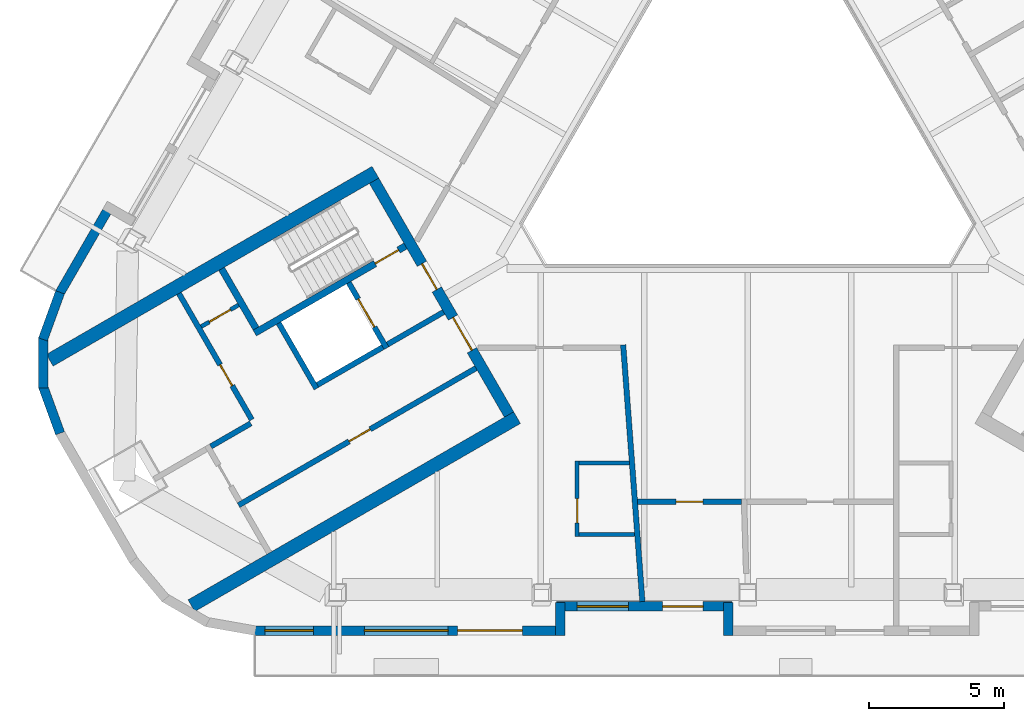
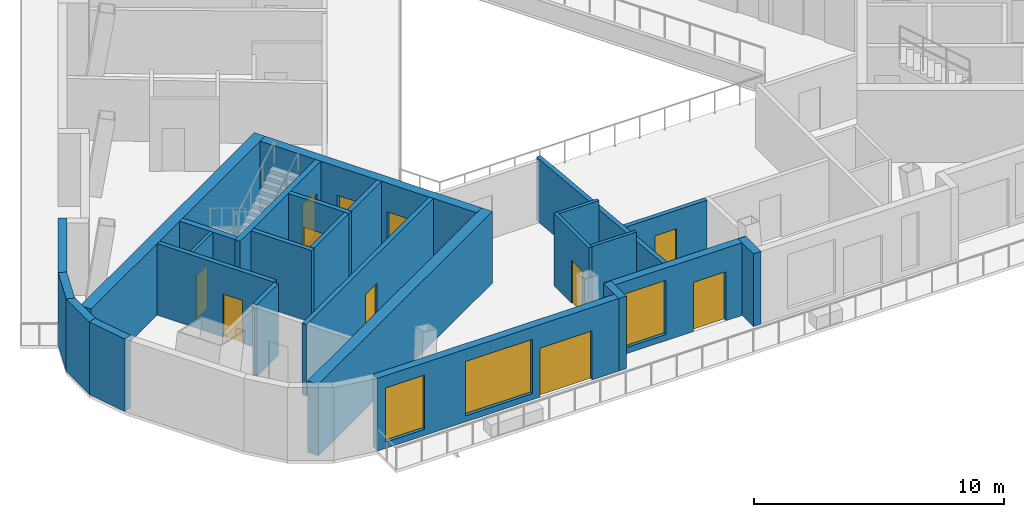
# One storey, part 3 of 14: 26 walls, 11 doors, 3 windows, 14 openings.
"""IFC4 building model written with IfcOpenShell, lengths in metres."""

import ifcopenshell
import ifcopenshell.guid

model = None  # the IFC model being written
_history = None  # IfcOwnerHistory: only IFC2X3 demands one
_inside = {}  # id of a spatial element -> (the spatial element, [elements in it])
_under = {}  # id of a project, library or spatial element -> (it, [spatial elements below it])
_declared = {}  # id of a project -> (the project, [libraries it declares])
_typed = {}  # id of a type object -> (the type object, [elements of that type])
_made_of = {}  # id of a material, layer set ... -> (it, [elements and type objects made of it])


def new_model(schema):
    """Start an empty IFC model of exactly this schema.

    Asked for "IFC4X3", IfcOpenShell would pick the latest addendum, in which some entities
    have other attributes; the version numbers below select the first issue.
    IFC2X3 requires an IfcOwnerHistory on every rooted entity: one is made here for all.
    """
    global model, _history
    if schema == "IFC4X3":
        model = ifcopenshell.file(schema_version=(4, 3, 0, 0))
    else:
        model = ifcopenshell.file(schema=schema)
    _inside.clear()
    _under.clear()
    _declared.clear()
    _typed.clear()
    _made_of.clear()
    _history = None
    if model.schema == "IFC2X3":
        org = make("IfcOrganization", Name="unknown")
        user = make(
            "IfcPersonAndOrganization",
            ThePerson=make("IfcPerson", FamilyName="unknown"),
            TheOrganization=org,
        )
        app = make(
            "IfcApplication",
            ApplicationDeveloper=org,
            Version="unknown",
            ApplicationFullName="unknown",
            ApplicationIdentifier="unknown",
        )
        _history = make(
            "IfcOwnerHistory",
            OwningUser=user,
            OwningApplication=app,
            ChangeAction="ADDED",
            CreationDate=0,
        )
    return model


def make(cls, **values):
    """One entity of the class cls with the attributes given. An attribute that is None is left unset."""
    return model.create_entity(
        cls, **{name: value for name, value in values.items() if value is not None}
    )


def rooted(cls, **values):
    """An entity with a GlobalId (a new one), such as an element, a storey or a relation."""
    return make(cls, GlobalId=ifcopenshell.guid.new(), OwnerHistory=_history, **values)


def si_unit(unit_type, name, prefix=None):
    """IfcSIUnit, for example si_unit("LENGTHUNIT", "METRE", prefix="MILLI")."""
    return make("IfcSIUnit", UnitType=unit_type, Prefix=prefix, Name=name)


def assignment(units):
    """IfcUnitAssignment: the units of a project."""
    return None if units is None else make("IfcUnitAssignment", Units=units)


def point(xyz):
    """IfcCartesianPoint."""
    return None if xyz is None else make("IfcCartesianPoint", Coordinates=xyz)


def direction(xyz):
    """IfcDirection."""
    return None if xyz is None else make("IfcDirection", DirectionRatios=xyz)


def frame(location, z_axis=None, x_axis=None):
    """IfcAxis2Placement3D, a coordinate frame: its origin and axes. An axis left out is left unset."""
    return make(
        "IfcAxis2Placement3D",
        Location=point(location),
        Axis=direction(z_axis),
        RefDirection=direction(x_axis),
    )


def frame_2d(location, x_axis=None):
    """IfcAxis2Placement2D, a coordinate frame in the plane: its origin and x axis."""
    return make(
        "IfcAxis2Placement2D", Location=point(location), RefDirection=direction(x_axis)
    )


def origin():
    """The frame at (0, 0, 0) with its axes left unset."""
    return frame((0.0, 0.0, 0.0))


def place(relative_to, where):
    """IfcLocalPlacement: puts the frame where relative to a parent placement (None: the world)."""
    return make(
        "IfcLocalPlacement", PlacementRelTo=relative_to, RelativePlacement=where
    )


def context(
    kind, dimensions, precision=None, world=None, true_north=None, identifier=None
):
    """IfcGeometricRepresentationContext, for example the 3D "Model" context."""
    return make(
        "IfcGeometricRepresentationContext",
        ContextIdentifier=identifier,
        ContextType=kind,
        CoordinateSpaceDimension=dimensions,
        Precision=precision,
        WorldCoordinateSystem=world,
        TrueNorth=true_north,
    )


def subcontext(parent, identifier, kind, view, scale=None):
    """IfcGeometricRepresentationSubContext, for example "Body" below "Model"."""
    return make(
        "IfcGeometricRepresentationSubContext",
        ContextIdentifier=identifier,
        ContextType=kind,
        ParentContext=parent,
        TargetScale=scale,
        TargetView=view,
    )


def project(units=None, contexts=None):
    """IfcProject with its units and contexts."""
    return rooted(
        "IfcProject",
        Name="project",
        RepresentationContexts=contexts,
        UnitsInContext=assignment(units),
    )


def spatial(cls, under=None, at=None, **own):
    """A site, building, storey or space (cls), placed at a placement, below another one or the project."""
    s = rooted(cls, ObjectPlacement=at, **own)
    if under is not None:
        _under.setdefault(under.id(), (under, []))[1].append(s)
    return s


def profile(cls, at=None, kind="AREA", **sizes):
    """A parametric profile (cls). Its sizes go by their IFC names, for example OverallWidth=200.0."""
    return make(cls, ProfileType=kind, Position=at, **sizes)


def rectangle(**sizes):
    """IfcRectangleProfileDef."""
    return profile("IfcRectangleProfileDef", **sizes)


def extrude(swept, where, along, depth):
    """IfcExtrudedAreaSolid: the profile swept, set in the frame where, extruded along a direction by depth."""
    return make(
        "IfcExtrudedAreaSolid",
        SweptArea=swept,
        Position=where,
        ExtrudedDirection=direction(along),
        Depth=depth,
    )


def shape(context_of_items, identifier, shape_type, items):
    """IfcShapeRepresentation: the items that make up one representation, for example the "Body"."""
    return make(
        "IfcShapeRepresentation",
        ContextOfItems=context_of_items,
        RepresentationIdentifier=identifier,
        RepresentationType=shape_type,
        Items=items,
    )


def material(Name=None, Category=None):
    """IfcMaterial."""
    return make("IfcMaterial", Name=Name, Category=Category)


def layer(
    of_material, thickness, ventilated=None, Name=None, Category=None, Priority=None
):
    """IfcMaterialLayer: one layer of a wall or slab, of a material (None: an air gap)."""
    return make(
        "IfcMaterialLayer",
        Material=of_material,
        LayerThickness=thickness,
        IsVentilated=ventilated,
        Name=Name,
        Category=Category,
        Priority=Priority,
    )


def layer_set(layers, Name=None):
    """IfcMaterialLayerSet."""
    return make("IfcMaterialLayerSet", MaterialLayers=layers, LayerSetName=Name)


def made_of(thing, what):
    """Note that an element or type object is made of a material, layer set ...; save() writes the relation."""
    if what is not None:
        _made_of.setdefault(what.id(), (what, []))[1].append(thing)
    return thing


def type_object(cls, material=None, **own):
    """A type object (cls), such as IfcWallType, which elements share."""
    return made_of(rooted(cls, **own), material)


def element(
    cls,
    number,
    at=None,
    inside=None,
    cuts=None,
    type_object=None,
    material=None,
    context=None,
    identifier="Body",
    shape_type=None,
    held_by="IfcProductDefinitionShape",
    body=None,
    shapes=None,
    **own,
):
    """One element of the class cls, such as IfcWall. Its Tag is "e" and its number.

    at: its placement. inside: the storey or other place that contains it. cuts: it is an
    opening in that element (IfcRelVoidsElement). A single representation is given by context,
    identifier, shape_type and body (its items); several are given by shapes. held_by: the class
    of the entity that holds the representations. save() writes the other relations.
    """
    e = rooted(cls, Tag="e%d" % number, ObjectPlacement=at, **own)
    if body is not None:
        shapes = [shape(context, identifier, shape_type, body)]
    if shapes is not None:
        e.Representation = make(held_by, Representations=shapes)
    if inside is not None:
        _inside.setdefault(inside.id(), (inside, []))[1].append(e)
    if cuts is not None:
        rooted(
            "IfcRelVoidsElement", RelatingBuildingElement=cuts, RelatedOpeningElement=e
        )
    if type_object is not None:
        _typed.setdefault(type_object.id(), (type_object, []))[1].append(e)
    return made_of(e, material)


def fill(opening, filler):
    """IfcRelFillsElement: the door or window that sits in an opening."""
    return rooted(
        "IfcRelFillsElement",
        RelatingOpeningElement=opening,
        RelatedBuildingElement=filler,
    )


def aggregate(whole, parts):
    """IfcRelAggregates: a whole, such as a stair, and the parts it consists of."""
    return rooted("IfcRelAggregates", RelatingObject=whole, RelatedObjects=parts)


def save(model, path):
    """Write the relations noted so far, then the file.

    IfcRelAggregates (storeys below a building ...), IfcRelContainedInSpatialStructure (elements
    in a storey), IfcRelDefinesByType, IfcRelAssociatesMaterial and IfcRelDeclares: one each for
    every whole, place, type object, material and project.
    """
    for whole, parts in _under.values():
        aggregate(whole, parts)
    for where, things in _inside.values():
        rooted(
            "IfcRelContainedInSpatialStructure",
            RelatedElements=things,
            RelatingStructure=where,
        )
    for kind, things in _typed.values():
        rooted("IfcRelDefinesByType", RelatedObjects=things, RelatingType=kind)
    for what, things in _made_of.values():
        rooted("IfcRelAssociatesMaterial", RelatedObjects=things, RelatingMaterial=what)
    for by, libraries in _declared.values():
        rooted("IfcRelDeclares", RelatingContext=by, RelatedDefinitions=libraries)
    model.write(path)


model = new_model("IFC4")

# Units and contexts
model_context = context("Model", 3, precision=1e-05, world=origin(), true_north=direction((0.0, 1.0)))
body_context = subcontext(model_context, "Body", "Model", "MODEL_VIEW")
ifc_project = project(units=[si_unit("LENGTHUNIT", "METRE"), si_unit("AREAUNIT", "SQUARE_METRE"), si_unit("VOLUMEUNIT", "CUBIC_METRE"), si_unit("PLANEANGLEUNIT", "RADIAN"), si_unit("MASSUNIT", "GRAM", prefix="KILO")], contexts=[model_context])

# Site, building, storey
site_placement = place(None, origin())
site = spatial("IfcSite", under=ifc_project, at=site_placement, CompositionType="ELEMENT")
building_placement = place(site_placement, origin())
building = spatial("IfcBuilding", under=site, at=building_placement, Name="Apuvela Tower Hotel", CompositionType="ELEMENT")
storey_placement = place(building_placement, frame((0.0, 0.0, 265.199951171875)))
storey = spatial("IfcBuildingStorey", under=building, at=storey_placement, Name="L65", CompositionType="ELEMENT", Elevation=265.199951171875)

# Wall, openings, doors
ifc_material_1 = material(Name="Concrete C50/60", Category="concrete")
ifc_layer_1 = layer(ifc_material_1, 0.39990234375)
ifc_layer_set_1 = layer_set([ifc_layer_1], Name="COR-WALL-CORE-400")
wall_type_1 = type_object("IfcWallType", Name="COR-WALL-CORE-400", PredefinedType="SHEAR", material=ifc_layer_set_1)
wall_1_placement = place(storey_placement, frame((-13.844970703125, -2.219970703125, 0.0), z_axis=(0.0, 0.0, 1.0), x_axis=(0.500004234368, -0.866022959057, 0.0)))
wall_1 = element("IfcWall", 1, at=wall_1_placement, inside=storey, type_object=wall_type_1, Name="Core wall SW", PredefinedType="SHEAR", context=body_context, shape_type="SweptSolid", body=[
    extrude(rectangle(XDim=10.0, YDim=0.39990234375, at=frame_2d((5.0, 0.0))), origin(), (0.0, 0.0, 1.0), 3.5),
])
opening_1_placement = place(wall_1_placement, frame((3.550048828125, 0.0, 0.0)))
opening_1 = element("IfcOpeningElement", 2, at=opening_1_placement, cuts=wall_1, Name="Opening W-FD", PredefinedType="OPENING", context=body_context, shape_type="SweptSolid", body=[
    extrude(rectangle(XDim=1.10009765625, YDim=2.10009765625, at=frame_2d((0.550048828125, 1.050048828125))), frame((0.0, 0.2099609375, 0.0), z_axis=(0.0, -1.0, 0.0), x_axis=(1.0, 0.0, 0.0)), (0.0, 0.0, 1.0), 0.419921875),
])
opening_2_placement = place(wall_1_placement, frame((5.85009765625, 0.0, 0.0)))
opening_2 = element("IfcOpeningElement", 3, at=opening_2_placement, cuts=wall_1, Name="Opening W-GD", PredefinedType="OPENING", context=body_context, shape_type="SweptSolid", body=[
    extrude(rectangle(XDim=1.39990234375, YDim=2.10009765625, at=frame_2d((0.699951171875, 1.050048828125))), frame((0.0, 0.2099609375, 0.0), z_axis=(0.0, -1.0, 0.0), x_axis=(1.0, 0.0, 0.0)), (0.0, 0.0, 1.0), 0.419921875),
])
ifc_material_2 = material(Name="Steel fire door, powder coated", Category="steel")
door_type_1 = type_object("IfcDoorType", Name="COR-FD-1100", OperationType="NOTDEFINED", PredefinedType="DOOR", material=ifc_material_2)
door_1_placement = place(opening_1_placement, frame((1.10009765625, 0.0, 0.0), z_axis=(0.0, 0.0, 1.0), x_axis=(-1.0, 0.0, 0.0)))
door_1 = element("IfcDoor", 4, at=door_1_placement, inside=storey, type_object=door_type_1, Name="Firefighting lobby door W-FD", OperationType="SINGLE_SWING_LEFT", OverallHeight=2.10009765625, OverallWidth=1.10009765625, PredefinedType="DOOR", context=body_context, shape_type="SweptSolid", body=[
    extrude(rectangle(XDim=1.10009765625, YDim=2.10009765625, at=frame_2d((0.550048828125, 1.050048828125))), frame((0.0, 0.02490234375, 0.0), z_axis=(0.0, -1.0, 0.0), x_axis=(1.0, 0.0, 0.0)), (0.0, 0.0, 1.0), 0.050048828125),
])
fill(opening_1, door_1)
ifc_material_3 = material(Name="Glazed steel fire door", Category="steel")
door_type_2 = type_object("IfcDoorType", Name="COR-GD-1400", OperationType="DOUBLE_DOOR_SINGLE_SWING", PredefinedType="DOOR", material=ifc_material_3)
door_2_placement = place(opening_2_placement, frame((1.39990234375, 0.0, 0.0), z_axis=(0.0, 0.0, 1.0), x_axis=(-1.0, 0.0, 0.0)))
door_2 = element("IfcDoor", 5, at=door_2_placement, inside=storey, type_object=door_type_2, Name="Lift lobby door W-GD", OperationType="DOUBLE_DOOR_SINGLE_SWING", OverallHeight=2.10009765625, OverallWidth=1.39990234375, PredefinedType="DOOR", context=body_context, shape_type="SweptSolid", body=[
    extrude(rectangle(XDim=1.39990234375, YDim=2.10009765625, at=frame_2d((0.699951171875, 1.050048828125))), frame((0.0, 0.02490234375, 0.0), z_axis=(0.0, -1.0, 0.0), x_axis=(1.0, 0.0, 0.0)), (0.0, 0.0, 1.0), 0.050048828125),
])
fill(opening_2, door_2)

# Walls
ifc_layer_2 = layer(ifc_material_1, 0.5)
ifc_layer_set_2 = layer_set([ifc_layer_2], Name="COR-WALL-CORE-500")
wall_type_2 = type_object("IfcWallType", Name="COR-WALL-CORE-500", PredefinedType="SHEAR", material=ifc_layer_set_2)
for number, where, z_axis, x_axis, name in (
    (6, (-13.796630859375, -1.9033203125, 0.0), (0.0, 0.0, 1.0), (-0.86602744543, -0.49999646375, 0.0), "Core wall SW"),
    (7, (-8.546630859375, -10.99658203125, 0.0), (0.0, 0.0, 1.0), (-0.86602744543, -0.49999646375, 0.0), "Core wall SW"),
):
    element("IfcWall", number, at=place(storey_placement, frame(where, z_axis=z_axis, x_axis=x_axis)), inside=storey, type_object=wall_type_2, Name=name, PredefinedType="SHEAR", context=body_context, shape_type="SweptSolid", body=[
        extrude(rectangle(XDim=13.93408203125, YDim=0.5, at=frame_2d((6.967041015625, 0.0))), origin(), (0.0, 0.0, 1.0), 3.5),
    ])

# Wall, opening, door
ifc_material_4 = material(Name="Blockwork 150 mm plastered", Category="masonry")
ifc_layer_3 = layer(ifc_material_4, 0.14990234375)
ifc_layer_set_3 = layer_set([ifc_layer_3], Name="COR-WALL-PART-150")
wall_type_3 = type_object("IfcWallType", Name="COR-WALL-PART-150", PredefinedType="PARTITIONING", material=ifc_layer_set_3)
wall_2_placement = place(storey_placement, frame((-18.866455078125, -6.822265625, 0.0), z_axis=(0.0, 0.0, 1.0), x_axis=(-0.866028054938, -0.499995408039, 0.0)))
wall_2 = element("IfcWall", 8, at=wall_2_placement, inside=storey, type_object=wall_type_3, Name="Partition SW", PredefinedType="PARTITIONING", context=body_context, shape_type="SweptSolid", body=[
    extrude(rectangle(XDim=1.60009765625, YDim=0.14990234375, at=frame_2d((0.800048828125, 0.0))), origin(), (0.0, 0.0, 1.0), 3.5),
])
opening_3_placement = place(wall_2_placement, frame((0.35009765625, 0.0, 0.0)))
opening_3 = element("IfcOpeningElement", 9, at=opening_3_placement, cuts=wall_2, Name="Opening W-RD", PredefinedType="OPENING", context=body_context, shape_type="SweptSolid", body=[
    extrude(rectangle(XDim=0.89990234375, YDim=2.10009765625, at=frame_2d((0.449951171875, 1.050048828125))), frame((0.0, 0.0849609375, 0.0), z_axis=(0.0, -1.0, 0.0), x_axis=(1.0, 0.0, 0.0)), (0.0, 0.0, 1.0), 0.169921875),
])
ifc_material_5 = material(Name="Steel access door, powder coated", Category="steel")
door_type_3 = type_object("IfcDoorType", Name="COR-RD-900", OperationType="NOTDEFINED", PredefinedType="DOOR", material=ifc_material_5)
door_3_placement = place(opening_3_placement, frame((0.89990234375, 0.0, 0.0), z_axis=(0.0, 0.0, 1.0), x_axis=(-1.0, 0.0, 0.0)))
door_3 = element("IfcDoor", 10, at=door_3_placement, inside=storey, type_object=door_type_3, Name="Riser door W-RD", OperationType="SINGLE_SWING_RIGHT", OverallHeight=2.10009765625, OverallWidth=0.89990234375, PredefinedType="DOOR", context=body_context, shape_type="SweptSolid", body=[
    extrude(rectangle(XDim=0.89990234375, YDim=2.10009765625, at=frame_2d((0.449951171875, 1.050048828125))), frame((0.0, 0.02490234375, 0.0), z_axis=(0.0, -1.0, 0.0), x_axis=(1.0, 0.0, 0.0)), (0.0, 0.0, 1.0), 0.050048828125),
])
fill(opening_3, door_3)

ifc_material_6 = material(Name="Blockwork 200 mm plastered", Category="masonry")
ifc_layer_4 = layer(ifc_material_6, 0.199951171875)
ifc_layer_set_4 = layer_set([ifc_layer_4], Name="COR-WALL-PART-200")
wall_type_4 = type_object("IfcWallType", Name="COR-WALL-PART-200", PredefinedType="PARTITIONING", material=ifc_layer_set_4)
wall_3_placement = place(storey_placement, frame((-21.076171875, -6.39501953125, 0.0), z_axis=(0.0, 0.0, 1.0), x_axis=(0.50001468107, -0.866016927499, 0.0)))
wall_3 = element("IfcWall", 11, at=wall_3_placement, inside=storey, type_object=wall_type_4, Name="Partition SW", PredefinedType="PARTITIONING", context=body_context, shape_type="SweptSolid", body=[
    extrude(rectangle(XDim=5.399658203125, YDim=0.199951171875, at=frame_2d((2.69970703125, 0.0))), origin(), (0.0, 0.0, 1.0), 3.5),
])
opening_4_placement = place(wall_3_placement, frame((3.050048828125, 0.0, 0.0)))
opening_4 = element("IfcOpeningElement", 12, at=opening_4_placement, cuts=wall_3, Name="Opening W-RS1", PredefinedType="OPENING", context=body_context, shape_type="SweptSolid", body=[
    extrude(rectangle(XDim=0.89990234375, YDim=2.10009765625, at=frame_2d((0.449951171875, 1.050048828125))), frame((0.0, 0.10986328125, 0.0), z_axis=(0.0, -1.0, 0.0), x_axis=(1.0, 0.0, 0.0)), (0.0, 0.0, 1.0), 0.219970703125),
])
door_type_4 = type_object("IfcDoorType", Name="COR-DR-900", OperationType="NOTDEFINED", PredefinedType="DOOR", material=ifc_material_2)
door_4_placement = place(opening_4_placement, frame((0.89990234375, 0.0, 0.0), z_axis=(0.0, 0.0, 1.0), x_axis=(-1.0, 0.0, 0.0)))
door_4 = element("IfcDoor", 13, at=door_4_placement, inside=storey, type_object=door_type_4, Name="Store door W-RS1", OperationType="SINGLE_SWING_LEFT", OverallHeight=2.10009765625, OverallWidth=0.89990234375, PredefinedType="DOOR", context=body_context, shape_type="SweptSolid", body=[
    extrude(rectangle(XDim=0.89990234375, YDim=2.10009765625, at=frame_2d((0.449951171875, 1.050048828125))), frame((0.0, 0.02490234375, 0.0), z_axis=(0.0, -1.0, 0.0), x_axis=(1.0, 0.0, 0.0)), (0.0, 0.0, 1.0), 0.050048828125),
])
fill(opening_4, door_4)

# Wall
ifc_layer_5 = layer(ifc_material_1, 0.199951171875)
ifc_layer_set_5 = layer_set([ifc_layer_5], Name="COR-WALL-SHAFT-200")
wall_type_5 = type_object("IfcWallType", Name="COR-WALL-SHAFT-200", PredefinedType="SHEAR", material=ifc_layer_set_5)
wall_4_placement = place(storey_placement, frame((-17.38134765625, -7.49462890625, 0.0), z_axis=(0.0, 0.0, 1.0), x_axis=(0.500011755427, -0.866018616679, 0.0)))
element("IfcWall", 14, at=wall_4_placement, inside=storey, type_object=wall_type_5, Name="Shaft wall SW", PredefinedType="SHEAR", context=body_context, shape_type="SweptSolid", body=[
    extrude(rectangle(XDim=2.80029296875, YDim=0.199951171875, at=frame_2d((1.400146484375, 0.0))), origin(), (0.0, 0.0, 1.0), 3.5),
])

# Wall, opening, door
wall_5_placement = place(storey_placement, frame((-14.783203125, -5.99462890625, 0.0), z_axis=(0.0, 0.0, 1.0), x_axis=(0.49994636267, -0.866056369097, 0.0)))
wall_5 = element("IfcWall", 15, at=wall_5_placement, inside=storey, type_object=wall_type_5, Name="Shaft wall SW", PredefinedType="SHEAR", context=body_context, shape_type="SweptSolid", body=[
    extrude(rectangle(XDim=2.800048828125, YDim=0.199951171875, at=frame_2d((1.39990234375, 0.0))), origin(), (0.0, 0.0, 1.0), 3.5),
])
opening_5_placement = place(wall_5_placement, frame((0.699951171875, 0.0, 0.0)))
opening_5 = element("IfcOpeningElement", 16, at=opening_5_placement, cuts=wall_5, Name="Opening W-LD-FS2", PredefinedType="OPENING", context=body_context, shape_type="SweptSolid", body=[
    extrude(rectangle(XDim=1.199951171875, YDim=2.10009765625, at=frame_2d((0.60009765625, 1.050048828125))), frame((0.0, 0.10986328125, 0.0), z_axis=(0.0, -1.0, 0.0), x_axis=(1.0, 0.0, 0.0)), (0.0, 0.0, 1.0), 0.219970703125),
])
ifc_material_7 = material(Name="Stainless steel lift landing door", Category="steel")
door_type_5 = type_object("IfcDoorType", Name="COR-LD-1200", OperationType="DOUBLE_DOOR_SLIDING", PredefinedType="DOOR", material=ifc_material_7)
door_5_placement = place(opening_5_placement, origin())
door_5 = element("IfcDoor", 17, at=door_5_placement, inside=storey, type_object=door_type_5, Name="Lift landing door W-LD-FS2", OperationType="DOUBLE_DOOR_SLIDING", OverallHeight=2.10009765625, OverallWidth=1.199951171875, PredefinedType="DOOR", context=body_context, shape_type="SweptSolid", body=[
    extrude(rectangle(XDim=1.199951171875, YDim=2.10009765625, at=frame_2d((0.60009765625, 1.050048828125))), frame((0.0, 0.02490234375, 0.0), z_axis=(0.0, -1.0, 0.0), x_axis=(1.0, 0.0, 0.0)), (0.0, 0.0, 1.0), 0.050048828125),
])
fill(opening_5, door_5)

# Walls
wall_6_placement = place(storey_placement, frame((-13.519775390625, -8.383056640625, 0.0), z_axis=(0.0, 0.0, 1.0), x_axis=(-0.866034573852, -0.49998411664, 0.0)))
element("IfcWall", 18, at=wall_6_placement, inside=storey, type_object=wall_type_5, Name="Shaft wall SW", PredefinedType="SHEAR", context=body_context, shape_type="SweptSolid", body=[
    extrude(rectangle(XDim=2.7998046875, YDim=0.199951171875, at=frame_2d((1.39990234375, 0.0))), origin(), (0.0, 0.0, 1.0), 3.5),
])
wall_7_placement = place(storey_placement, frame((-11.26806640625, -7.0830078125, 0.0), z_axis=(0.0, 0.0, 1.0), x_axis=(-0.866050077142, -0.499957262057, 0.0)))
element("IfcWall", 19, at=wall_7_placement, inside=storey, type_object=wall_type_5, Name="Shaft wall SW", PredefinedType="SHEAR", context=body_context, shape_type="SweptSolid", body=[
    extrude(rectangle(XDim=2.400146484375, YDim=0.199951171875, at=frame_2d((1.2001953125, 0.0))), origin(), (0.0, 0.0, 1.0), 3.5),
])

# Wall, opening, door
wall_8_placement = place(storey_placement, frame((-10.068115234375, -9.16162109375, 0.0), z_axis=(0.0, 0.0, 1.0), x_axis=(-0.866032725843, -0.499987317609, 0.0)))
wall_8 = element("IfcWall", 20, at=wall_8_placement, inside=storey, type_object=wall_type_5, Name="Shaft wall SW", PredefinedType="SHEAR", context=body_context, shape_type="SweptSolid", body=[
    extrude(rectangle(XDim=10.159912109375, YDim=0.199951171875, at=frame_2d((5.080078125, 0.0))), origin(), (0.0, 0.0, 1.0), 3.5),
])
opening_6_placement = place(wall_8_placement, frame((4.530029296875, 0.0, 0.0)))
opening_6 = element("IfcOpeningElement", 21, at=opening_6_placement, cuts=wall_8, Name="Opening W-RE1", PredefinedType="OPENING", context=body_context, shape_type="SweptSolid", body=[
    extrude(rectangle(XDim=0.89990234375, YDim=2.10009765625, at=frame_2d((0.449951171875, 1.050048828125))), frame((0.0, 0.10986328125, 0.0), z_axis=(0.0, -1.0, 0.0), x_axis=(1.0, 0.0, 0.0)), (0.0, 0.0, 1.0), 0.219970703125),
])
door_6_placement = place(opening_6_placement, origin())
door_6 = element("IfcDoor", 22, at=door_6_placement, inside=storey, type_object=door_type_4, Name="Store door W-RE1", OperationType="SINGLE_SWING_LEFT", OverallHeight=2.10009765625, OverallWidth=0.89990234375, PredefinedType="DOOR", context=body_context, shape_type="SweptSolid", body=[
    extrude(rectangle(XDim=0.89990234375, YDim=2.10009765625, at=frame_2d((0.449951171875, 1.050048828125))), frame((0.0, 0.02490234375, 0.0), z_axis=(0.0, -1.0, 0.0), x_axis=(1.0, 0.0, 0.0)), (0.0, 0.0, 1.0), 0.050048828125),
])
fill(opening_6, door_6)

# Wall
wall_9_placement = place(storey_placement, frame((-18.412841796875, -11.2080078125, 0.0), z_axis=(0.0, 0.0, 1.0), x_axis=(-0.866038183914, -0.499977863513, 0.0)))
element("IfcWall", 23, at=wall_9_placement, inside=storey, type_object=wall_type_5, Name="Shaft wall SW", PredefinedType="SHEAR", context=body_context, shape_type="SweptSolid", body=[
    extrude(rectangle(XDim=1.7099609375, YDim=0.199951171875, at=frame_2d((0.85498046875, 0.0))), origin(), (0.0, 0.0, 1.0), 3.5),
])

# Wall, opening, door
ifc_layer_6 = layer(ifc_material_1, 0.25)
ifc_layer_set_6 = layer_set([ifc_layer_6], Name="COR-WALL-STAIR-250")
wall_type_6 = type_object("IfcWallType", Name="COR-WALL-STAIR-250", PredefinedType="SHEAR", material=ifc_layer_set_6)
wall_10_placement = place(storey_placement, frame((-12.6806640625, -4.636474609375, 0.0), z_axis=(0.0, 0.0, 1.0), x_axis=(-0.866021702275, -0.500006411147, 0.0)))
wall_10 = element("IfcWall", 24, at=wall_10_placement, inside=storey, type_object=wall_type_6, Name="Stair wall SW", PredefinedType="SHEAR", context=body_context, shape_type="SweptSolid", body=[
    extrude(rectangle(XDim=6.4501953125, YDim=0.25, at=frame_2d((3.22509765625, 0.0))), origin(), (0.0, 0.0, 1.0), 3.5),
])
opening_7_placement = place(wall_10_placement, frame((0.300048828125, 0.0, 0.0)))
opening_7 = element("IfcOpeningElement", 25, at=opening_7_placement, cuts=wall_10, Name="Opening W-SD", PredefinedType="OPENING", context=body_context, shape_type="SweptSolid", body=[
    extrude(rectangle(XDim=1.0, YDim=2.10009765625, at=frame_2d((0.5, 1.050048828125))), frame((0.0, 0.135009765625, 0.0), z_axis=(0.0, -1.0, 0.0), x_axis=(1.0, 0.0, 0.0)), (0.0, 0.0, 1.0), 0.27001953125),
])
door_type_6 = type_object("IfcDoorType", Name="COR-SD-1000", OperationType="NOTDEFINED", PredefinedType="DOOR", material=ifc_material_2)
door_7_placement = place(opening_7_placement, frame((1.0, 0.0, 0.0), z_axis=(0.0, 0.0, 1.0), x_axis=(-1.0, 0.0, 0.0)))
door_7 = element("IfcDoor", 26, at=door_7_placement, inside=storey, type_object=door_type_6, Name="Stair door W-SD", OperationType="SINGLE_SWING_LEFT", OverallHeight=2.10009765625, OverallWidth=1.0, PredefinedType="DOOR", context=body_context, shape_type="SweptSolid", body=[
    extrude(rectangle(XDim=1.0, YDim=2.10009765625, at=frame_2d((0.5, 1.050048828125))), frame((0.0, 0.02490234375, 0.0), z_axis=(0.0, -1.0, 0.0), x_axis=(1.0, 0.0, 0.0)), (0.0, 0.0, 1.0), 0.050048828125),
])
fill(opening_7, door_7)

# Walls
wall_11_placement = place(storey_placement, frame((-19.49560546875, -5.482421875, 0.0), z_axis=(0.0, 0.0, 1.0), x_axis=(0.499990435942, -0.866030925526, 0.0)))
element("IfcWall", 27, at=wall_11_placement, inside=storey, type_object=wall_type_6, Name="Stair wall SW", PredefinedType="SHEAR", context=body_context, shape_type="SweptSolid", body=[
    extrude(rectangle(XDim=2.5498046875, YDim=0.25, at=frame_2d((1.27490234375, 0.0))), origin(), (0.0, 0.0, 1.0), 3.5),
])
ifc_material_8 = material(Name="Concrete C40/50, dark pigmented precast panel", Category="concrete")
ifc_layer_7 = layer(ifc_material_8, 0.35009765625)
ifc_layer_set_7 = layer_set([ifc_layer_7], Name="ENV-WALL-350")
wall_type_7 = type_object("IfcWallType", Name="ENV-WALL-350", PredefinedType="SOLIDWALL", material=ifc_layer_set_7)
wall_12_placement = place(storey_placement, frame((-23.5791015625, -3.064697265625, 0.0), z_axis=(0.0, 0.0, 1.0), x_axis=(-0.500048109927, -0.865997625723, 0.0)))
element("IfcWall", 28, at=wall_12_placement, inside=storey, type_object=wall_type_7, Name="External wall L65-09", PredefinedType="SOLIDWALL", context=body_context, shape_type="SweptSolid", body=[
    extrude(rectangle(XDim=3.82861328125, YDim=0.35009765625, at=frame_2d((1.914306640625, 0.0))), origin(), (0.0, 0.0, 1.0), 3.550048828125),
])
for number, where, z_axis, x_axis, name in (
    (29, (-25.480712890625, -6.3525390625, 0.0), (0.0, 0.0, 1.0), (-0.341933271996, -0.939724234817, 0.0), "External wall L65-10"),
    (30, (-26.1044921875, -8.035888671875, 0.0), (0.0, 0.0, 1.0), (0.0, -1.0, 0.0), "External wall L65-11"),
):
    element("IfcWall", number, at=place(storey_placement, frame(where, z_axis=z_axis, x_axis=x_axis)), inside=storey, type_object=wall_type_7, Name=name, PredefinedType="SOLIDWALL", context=body_context, shape_type="SweptSolid", body=[
        extrude(rectangle(XDim=1.85498046875, YDim=0.35009765625, at=frame_2d((0.927490234375, 0.0))), origin(), (0.0, 0.0, 1.0), 3.550048828125),
    ])
wall_13_placement = place(storey_placement, frame((-26.114990234375, -9.830810546875, 0.0), z_axis=(0.0, 0.0, 1.0), x_axis=(0.341890986265, -0.93973962006, 0.0)))
element("IfcWall", 31, at=wall_13_placement, inside=storey, type_object=wall_type_7, Name="External wall L65-12", PredefinedType="SOLIDWALL", context=body_context, shape_type="SweptSolid", body=[
    extrude(rectangle(XDim=1.855224609375, YDim=0.35009765625, at=frame_2d((0.927734375, 0.0))), origin(), (0.0, 0.0, 1.0), 3.550048828125),
])

# Wall, openings, door, windows
wall_14_placement = place(storey_placement, frame((-18.272216796875, -18.887939453125, 0.0), z_axis=(0.0, 0.0, 1.0), x_axis=(1.0, 0.0, 0.0)))
wall_14 = element("IfcWall", 32, at=wall_14_placement, inside=storey, type_object=wall_type_7, Name="External wall L65-17", PredefinedType="SOLIDWALL", context=body_context, shape_type="SweptSolid", body=[
    extrude(rectangle(XDim=11.50048828125, YDim=0.35009765625, at=frame_2d((5.750244140625, 0.0))), origin(), (0.0, 0.0, 1.0), 3.550048828125),
])
opening_8_placement = place(wall_14_placement, frame((0.380126953125, 0.0, 0.300048828125)))
opening_8 = element("IfcOpeningElement", 33, at=opening_8_placement, cuts=wall_14, Name="Opening WN18", PredefinedType="OPENING", context=body_context, shape_type="SweptSolid", body=[
    extrude(rectangle(XDim=1.800048828125, YDim=2.64990234375, at=frame_2d((0.89990234375, 1.324951171875))), frame((0.0, 0.18505859375, 0.0), z_axis=(0.0, -1.0, 0.0), x_axis=(1.0, 0.0, 0.0)), (0.0, 0.0, 1.0), 0.3701171875),
])
opening_9_placement = place(wall_14_placement, frame((7.521240234375, 0.0, 0.0)))
opening_9 = element("IfcOpeningElement", 34, at=opening_9_placement, cuts=wall_14, Name="Opening BD24", PredefinedType="OPENING", context=body_context, shape_type="SweptSolid", body=[
    extrude(rectangle(XDim=2.39990234375, YDim=2.39990234375, at=frame_2d((1.199951171875, 1.199951171875))), frame((0.0, 0.18505859375, 0.0), z_axis=(0.0, -1.0, 0.0), x_axis=(1.0, 0.0, 0.0)), (0.0, 0.0, 1.0), 0.3701171875),
])
opening_10_placement = place(wall_14_placement, frame((4.066650390625, 0.0, 0.300048828125)))
opening_10 = element("IfcOpeningElement", 35, at=opening_10_placement, cuts=wall_14, Name="Opening WN31", PredefinedType="OPENING", context=body_context, shape_type="SweptSolid", body=[
    extrude(rectangle(XDim=3.10009765625, YDim=2.64990234375, at=frame_2d((1.550048828125, 1.324951171875))), frame((0.0, 0.18505859375, 0.0), z_axis=(0.0, -1.0, 0.0), x_axis=(1.0, 0.0, 0.0)), (0.0, 0.0, 1.0), 0.3701171875),
])
ifc_material_9 = material(Name="Aluminium 6063-T6, dark bronze anodised frame with dark tinted laminated glass", Category="aluminium")
door_type_7 = type_object("IfcDoorType", Name="ENV-DOOR-BALCONY-2400x2400", OperationType="SLIDING_TO_LEFT", PredefinedType="DOOR", material=ifc_material_9)
door_8_placement = place(opening_9_placement, frame((2.39990234375, 0.0, 0.0), z_axis=(0.0, 0.0, 1.0), x_axis=(-1.0, 0.0, 0.0)))
door_8 = element("IfcDoor", 36, at=door_8_placement, inside=storey, type_object=door_type_7, Name="Balcony door BD24", OperationType="SLIDING_TO_LEFT", OverallHeight=2.39990234375, OverallWidth=2.39990234375, PredefinedType="DOOR", context=body_context, shape_type="SweptSolid", body=[
    extrude(rectangle(XDim=2.39990234375, YDim=2.39990234375, at=frame_2d((1.199951171875, 1.199951171875))), frame((0.0, 0.02490234375, 0.0), z_axis=(0.0, -1.0, 0.0), x_axis=(1.0, 0.0, 0.0)), (0.0, 0.0, 1.0), 0.050048828125),
])
fill(opening_9, door_8)
ifc_material_10 = material(Name="Glass, dark tinted laminated insulated glazing unit", Category="glass")
window_type_1 = type_object("IfcWindowType", Name="ENV-WIN-1800x2650", PartitioningType="SINGLE_PANEL", PredefinedType="WINDOW", material=ifc_material_10)
window_1_placement = place(opening_8_placement, origin())
window_1 = element("IfcWindow", 37, at=window_1_placement, inside=storey, type_object=window_type_1, Name="Window WN18", OverallHeight=2.64990234375, OverallWidth=1.800048828125, PartitioningType="SINGLE_PANEL", PredefinedType="WINDOW", context=body_context, shape_type="SweptSolid", body=[
    extrude(rectangle(XDim=1.800048828125, YDim=2.64990234375, at=frame_2d((0.89990234375, 1.324951171875))), frame((0.0, 0.030029296875, 0.0), z_axis=(0.0, -1.0, 0.0), x_axis=(1.0, 0.0, 0.0)), (0.0, 0.0, 1.0), 0.06005859375),
])
fill(opening_8, window_1)
window_type_2 = type_object("IfcWindowType", Name="ENV-WIN-3100x2650", PartitioningType="SINGLE_PANEL", PredefinedType="WINDOW", material=ifc_material_10)
window_2_placement = place(opening_10_placement, origin())
window_2 = element("IfcWindow", 38, at=window_2_placement, inside=storey, type_object=window_type_2, Name="Window WN31", OverallHeight=2.64990234375, OverallWidth=3.10009765625, PartitioningType="SINGLE_PANEL", PredefinedType="WINDOW", context=body_context, shape_type="SweptSolid", body=[
    extrude(rectangle(XDim=3.10009765625, YDim=2.64990234375, at=frame_2d((1.550048828125, 1.324951171875))), frame((0.0, 0.030029296875, 0.0), z_axis=(0.0, -1.0, 0.0), x_axis=(1.0, 0.0, 0.0)), (0.0, 0.0, 1.0), 0.06005859375),
])
fill(opening_10, window_2)

# Wall
wall_15_placement = place(storey_placement, frame((-6.94677734375, -19.06298828125, 0.0), z_axis=(0.0, 0.0, 1.0), x_axis=(0.0, 1.0, 0.0)))
element("IfcWall", 39, at=wall_15_placement, inside=storey, type_object=wall_type_7, Name="External wall L65-18", PredefinedType="SOLIDWALL", context=body_context, shape_type="SweptSolid", body=[
    extrude(rectangle(XDim=1.219970703125, YDim=0.35009765625, at=frame_2d((0.60986328125, 0.0))), origin(), (0.0, 0.0, 1.0), 3.550048828125),
])

# Wall, openings, door, window
wall_16_placement = place(storey_placement, frame((-7.091796875, -17.98779296875, 0.0), z_axis=(0.0, 0.0, 1.0), x_axis=(1.0, 0.0, 0.0)))
wall_16 = element("IfcWall", 40, at=wall_16_placement, inside=storey, type_object=wall_type_7, Name="External wall L65-19", PredefinedType="SOLIDWALL", context=body_context, shape_type="SweptSolid", body=[
    extrude(rectangle(XDim=6.51171875, YDim=0.35009765625, at=frame_2d((3.255859375, 0.0))), origin(), (0.0, 0.0, 1.0), 3.550048828125),
])
opening_11_placement = place(wall_16_placement, frame((0.77001953125, 0.0, 0.300048828125)))
opening_11 = element("IfcOpeningElement", 41, at=opening_11_placement, cuts=wall_16, Name="Opening WN19", PredefinedType="OPENING", context=body_context, shape_type="SweptSolid", body=[
    extrude(rectangle(XDim=1.89990234375, YDim=2.64990234375, at=frame_2d((0.949951171875, 1.324951171875))), frame((0.0, 0.18505859375, 0.0), z_axis=(0.0, -1.0, 0.0), x_axis=(1.0, 0.0, 0.0)), (0.0, 0.0, 1.0), 0.3701171875),
])
opening_12_placement = place(wall_16_placement, frame((3.93994140625, 0.0, 0.0)))
opening_12 = element("IfcOpeningElement", 42, at=opening_12_placement, cuts=wall_16, Name="Opening BD15", PredefinedType="OPENING", context=body_context, shape_type="SweptSolid", body=[
    extrude(rectangle(XDim=1.5, YDim=2.39990234375, at=frame_2d((0.75, 1.199951171875))), frame((0.0, 0.18505859375, 0.0), z_axis=(0.0, -1.0, 0.0), x_axis=(1.0, 0.0, 0.0)), (0.0, 0.0, 1.0), 0.3701171875),
])
door_type_8 = type_object("IfcDoorType", Name="ENV-DOOR-BALCONY-1500x2400", OperationType="SLIDING_TO_LEFT", PredefinedType="DOOR", material=ifc_material_9)
door_9_placement = place(opening_12_placement, frame((1.5, 0.0, 0.0), z_axis=(0.0, 0.0, 1.0), x_axis=(-1.0, 0.0, 0.0)))
door_9 = element("IfcDoor", 43, at=door_9_placement, inside=storey, type_object=door_type_8, Name="Balcony door BD15", OperationType="SLIDING_TO_LEFT", OverallHeight=2.39990234375, OverallWidth=1.5, PredefinedType="DOOR", context=body_context, shape_type="SweptSolid", body=[
    extrude(rectangle(XDim=1.5, YDim=2.39990234375, at=frame_2d((0.75, 1.199951171875))), frame((0.0, 0.02490234375, 0.0), z_axis=(0.0, -1.0, 0.0), x_axis=(1.0, 0.0, 0.0)), (0.0, 0.0, 1.0), 0.050048828125),
])
fill(opening_12, door_9)
window_type_3 = type_object("IfcWindowType", Name="ENV-WIN-1900x2650", PartitioningType="SINGLE_PANEL", PredefinedType="WINDOW", material=ifc_material_10)
window_3_placement = place(opening_11_placement, origin())
window_3 = element("IfcWindow", 44, at=window_3_placement, inside=storey, type_object=window_type_3, Name="Window WN19", OverallHeight=2.64990234375, OverallWidth=1.89990234375, PartitioningType="SINGLE_PANEL", PredefinedType="WINDOW", context=body_context, shape_type="SweptSolid", body=[
    extrude(rectangle(XDim=1.89990234375, YDim=2.64990234375, at=frame_2d((0.949951171875, 1.324951171875))), frame((0.0, 0.030029296875, 0.0), z_axis=(0.0, -1.0, 0.0), x_axis=(1.0, 0.0, 0.0)), (0.0, 0.0, 1.0), 0.06005859375),
])
fill(opening_11, window_3)

# Walls
wall_17_placement = place(storey_placement, frame((-0.72509765625, -17.843017578125, 0.0), z_axis=(0.0, 0.0, 1.0), x_axis=(0.0, -1.0, 0.0)))
element("IfcWall", 45, at=wall_17_placement, inside=storey, type_object=wall_type_7, Name="External wall L65-20", PredefinedType="SOLIDWALL", context=body_context, shape_type="SweptSolid", body=[
    extrude(rectangle(XDim=1.219970703125, YDim=0.35009765625, at=frame_2d((0.60986328125, 0.0))), origin(), (0.0, 0.0, 1.0), 3.550048828125),
])
ifc_material_11 = material(Name="Gypsum board partition on twin steel stud", Category="steel")
ifc_layer_8 = layer(ifc_material_11, 0.199951171875)
ifc_layer_set_8 = layer_set([ifc_layer_8], Name="GST-PW1")
wall_type_8 = type_object("IfcWallType", Name="GST-PW1", PredefinedType="PARTITIONING", material=ifc_layer_set_8)
wall_18_placement = place(storey_placement, frame((-3.9033203125, -17.81298828125, 0.0), z_axis=(0.0, 0.0, 1.0), x_axis=(-0.074602257677, 0.997213368918, 0.0)))
element("IfcWall", 46, at=wall_18_placement, inside=storey, type_object=wall_type_8, Name="L65 partition 01", PredefinedType="PARTITIONING", context=body_context, shape_type="SweptSolid", body=[
    extrude(rectangle(XDim=9.53955078125, YDim=0.199951171875, at=frame_2d((4.769775390625, 0.0))), origin(), (0.0, 0.0, 1.0), 3.10009765625),
])

# Wall, opening, door
ifc_material_12 = material(Name="Gypsum board corridor wall on twin steel stud, acoustic", Category="steel")
ifc_layer_9 = layer(ifc_material_12, 0.199951171875)
ifc_layer_set_9 = layer_set([ifc_layer_9], Name="GST-PW2")
wall_type_9 = type_object("IfcWallType", Name="GST-PW2", PredefinedType="PARTITIONING", material=ifc_layer_set_9)
wall_19_placement = place(storey_placement, frame((-0.235107421875, -14.11279296875, 0.0), z_axis=(0.0, 0.0, 1.0), x_axis=(-1.0, 0.0, 0.0)))
wall_19 = element("IfcWall", 47, at=wall_19_placement, inside=storey, type_object=wall_type_9, Name="L65 partition 15", PredefinedType="PARTITIONING", context=body_context, shape_type="SweptSolid", body=[
    extrude(rectangle(XDim=3.8447265625, YDim=0.199951171875, at=frame_2d((1.92236328125, 0.0))), origin(), (0.0, 0.0, 1.0), 3.0),
])
opening_13_placement = place(wall_19_placement, frame((1.42236328125, 0.0, 0.0)))
opening_13 = element("IfcOpeningElement", 48, at=opening_13_placement, cuts=wall_19, Name="Opening GD25-03", PredefinedType="OPENING", context=body_context, shape_type="SweptSolid", body=[
    extrude(rectangle(XDim=1.0, YDim=2.10009765625, at=frame_2d((0.5, 1.050048828125))), frame((0.0, 0.10986328125, 0.0), z_axis=(0.0, -1.0, 0.0), x_axis=(1.0, 0.0, 0.0)), (0.0, 0.0, 1.0), 0.219970703125),
])
ifc_material_13 = material(Name="Timber door leaf in steel frame", Category="steel")
door_type_9 = type_object("IfcDoorType", Name="GST-D1", OperationType="NOTDEFINED", PredefinedType="DOOR", material=ifc_material_13)
door_10_placement = place(opening_13_placement, origin())
door_10 = element("IfcDoor", 49, at=door_10_placement, inside=storey, type_object=door_type_9, Name="Door L65-03", OperationType="SINGLE_SWING_LEFT", OverallHeight=2.10009765625, OverallWidth=1.0, PredefinedType="DOOR", context=body_context, shape_type="SweptSolid", body=[
    extrude(rectangle(XDim=1.0, YDim=2.10009765625, at=frame_2d((0.5, 1.050048828125))), frame((0.0, 0.02490234375, 0.0), z_axis=(0.0, -1.0, 0.0), x_axis=(1.0, 0.0, 0.0)), (0.0, 0.0, 1.0), 0.050048828125),
])
fill(opening_13, door_10)

ifc_material_14 = material(Name="Moisture-resistant gypsum board wet wall on steel stud", Category="steel")
ifc_layer_10 = layer(ifc_material_14, 0.14990234375)
ifc_layer_set_10 = layer_set([ifc_layer_10], Name="GST-PW3")
wall_type_10 = type_object("IfcWallType", Name="GST-PW3", PredefinedType="PARTITIONING", material=ifc_layer_set_10)
wall_20_placement = place(storey_placement, frame((-6.318603515625, -12.60009765625, 0.0), z_axis=(0.0, 0.0, 1.0), x_axis=(0.0, -1.0, 0.0)))
wall_20 = element("IfcWall", 50, at=wall_20_placement, inside=storey, type_object=wall_type_10, Name="L65 partition 12", PredefinedType="PARTITIONING", context=body_context, shape_type="SweptSolid", body=[
    extrude(rectangle(XDim=2.7998046875, YDim=0.14990234375, at=frame_2d((1.39990234375, 0.0))), origin(), (0.0, 0.0, 1.0), 3.550048828125),
])
opening_14_placement = place(wall_20_placement, frame((1.39990234375, 0.0, 0.0)))
opening_14 = element("IfcOpeningElement", 51, at=opening_14_placement, cuts=wall_20, Name="Opening GD25-01", PredefinedType="OPENING", context=body_context, shape_type="SweptSolid", body=[
    extrude(rectangle(XDim=0.89990234375, YDim=2.10009765625, at=frame_2d((0.449951171875, 1.050048828125))), frame((0.0, 0.0849609375, 0.0), z_axis=(0.0, -1.0, 0.0), x_axis=(1.0, 0.0, 0.0)), (0.0, 0.0, 1.0), 0.169921875),
])
door_type_10 = type_object("IfcDoorType", Name="GST-D2", OperationType="NOTDEFINED", PredefinedType="DOOR", material=ifc_material_13)
door_11_placement = place(opening_14_placement, origin())
door_11 = element("IfcDoor", 52, at=door_11_placement, inside=storey, type_object=door_type_10, Name="Door L65-01", OperationType="SINGLE_SWING_RIGHT", OverallHeight=2.10009765625, OverallWidth=0.89990234375, PredefinedType="DOOR", context=body_context, shape_type="SweptSolid", body=[
    extrude(rectangle(XDim=0.89990234375, YDim=2.10009765625, at=frame_2d((0.449951171875, 1.050048828125))), frame((0.0, 0.02490234375, 0.0), z_axis=(0.0, -1.0, 0.0), x_axis=(1.0, 0.0, 0.0)), (0.0, 0.0, 1.0), 0.050048828125),
])
fill(opening_14, door_11)

# Walls
wall_21_placement = place(storey_placement, frame((-6.243408203125, -15.324951171875, 0.0), z_axis=(0.0, 0.0, 1.0), x_axis=(1.0, 0.0, 0.0)))
element("IfcWall", 53, at=wall_21_placement, inside=storey, type_object=wall_type_10, Name="L65 partition 13", PredefinedType="PARTITIONING", context=body_context, shape_type="SweptSolid", body=[
    extrude(rectangle(XDim=2.0537109375, YDim=0.14990234375, at=frame_2d((1.02685546875, 0.0))), origin(), (0.0, 0.0, 1.0), 3.550048828125),
])
wall_22_placement = place(storey_placement, frame((-6.243408203125, -12.675048828125, 0.0), z_axis=(0.0, 0.0, 1.0), x_axis=(1.0, 0.0, 0.0)))
element("IfcWall", 54, at=wall_22_placement, inside=storey, type_object=wall_type_10, Name="L65 partition 14", PredefinedType="PARTITIONING", context=body_context, shape_type="SweptSolid", body=[
    extrude(rectangle(XDim=1.85546875, YDim=0.14990234375, at=frame_2d((0.927734375, 0.0))), origin(), (0.0, 0.0, 1.0), 3.550048828125),
])

save(model, "model.ifc")
